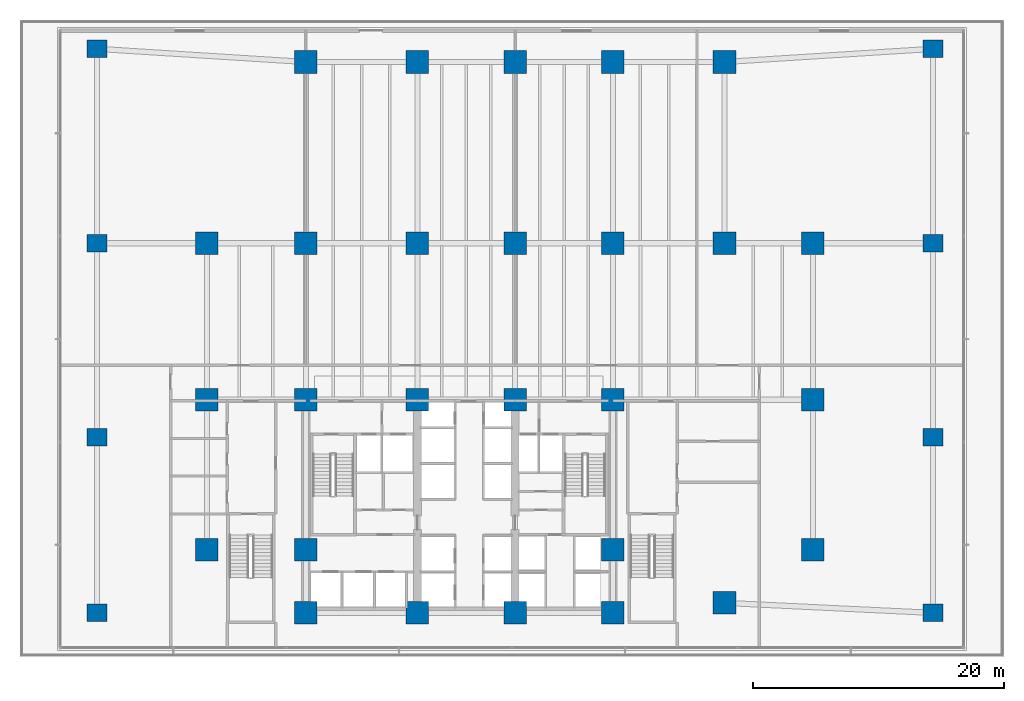
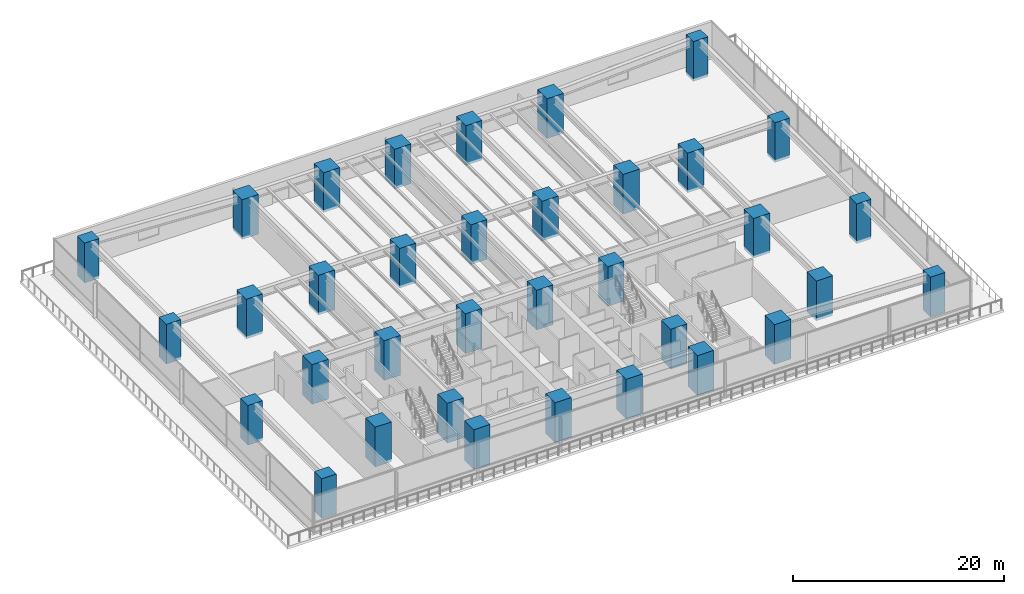
# One storey, part 1 of 28: 35 columns.
"""IFC4 building model written with IfcOpenShell, lengths in metres."""

from ifc_helpers import new_model, si_unit, direction, frame, origin, origin_2d, place, context, subcontext, project, spatial, rectangle, extrude, material, material_profile, profile_set, type_object, element, save


model = new_model("IFC4")

# Units and contexts
model_context = context("Model", 3, precision=1e-05, world=origin(), true_north=direction((0.0, 1.0)))
body_context = subcontext(model_context, "Body", "Model", "MODEL_VIEW")
ifc_project = project(units=[si_unit("LENGTHUNIT", "METRE"), si_unit("AREAUNIT", "SQUARE_METRE"), si_unit("VOLUMEUNIT", "CUBIC_METRE"), si_unit("PLANEANGLEUNIT", "RADIAN"), si_unit("MASSUNIT", "GRAM", prefix="KILO")], contexts=[model_context])

# Site, building, storey
site_placement = place(None, origin())
site = spatial("IfcSite", under=ifc_project, at=site_placement, CompositionType="ELEMENT")
building_placement = place(site_placement, origin())
building = spatial("IfcBuilding", under=site, at=building_placement, Name="Qalmaran Belvedere Hotel", CompositionType="ELEMENT")
storey_placement = place(building_placement, frame((0.0, 0.0, 10.0)))
storey = spatial("IfcBuildingStorey", under=building, at=storey_placement, Name="L02", CompositionType="ELEMENT", Elevation=10.0)

# Columns
ifc_material = material(Name="Concrete C60/75", Category="concrete")
ifc_material_profile_1 = material_profile(ifc_material, rectangle(XDim=1.60009765625, YDim=1.39990234375, at=origin_2d()), Name="MC1600X1400")
ifc_profile_set_1 = profile_set([ifc_material_profile_1], Name="Concrete C60/75")
column_type_1 = type_object("IfcColumnType", Name="COL-POD-MC1600", PredefinedType="COLUMN", material=ifc_profile_set_1)
for number, where, z_axis, x_axis, name in (
    (1, (3.64990234375, 3.5, -0.300048828125), (0.0, 0.0, 1.0), (1.0, 0.0, 0.0), "L02 Column PW2"),
    (2, (3.64990234375, 17.5, -0.300048828125), (0.0, 0.0, 1.0), (1.0, 0.0, 0.0), "L02 Column PW4"),
    (3, (3.64990234375, 33.0, -0.300048828125), (0.0, 0.0, 1.0), (1.0, 0.0, 0.0), "L02 Column PW6"),
    (4, (3.64990234375, 48.5, -0.300048828125), (0.0, 0.0, 1.0), (1.0, 0.0, 0.0), "L02 Column PW8"),
    (5, (70.35009765625, 3.5, -0.300048828125), (0.0, 0.0, 1.0), (1.0, 0.0, 0.0), "L02 Column PE1"),
    (6, (70.35009765625, 17.5, -0.300048828125), (0.0, 0.0, 1.0), (1.0, 0.0, 0.0), "L02 Column PE3"),
    (7, (70.35009765625, 33.0, -0.300048828125), (0.0, 0.0, 1.0), (1.0, 0.0, 0.0), "L02 Column PE5"),
    (8, (70.35009765625, 48.5, -0.300048828125), (0.0, 0.0, 1.0), (1.0, 0.0, 0.0), "L02 Column PE7"),
):
    element("IfcColumn", number, at=place(storey_placement, frame(where, z_axis=z_axis, x_axis=x_axis)), inside=storey, type_object=column_type_1, Name=name, PredefinedType="COLUMN", context=body_context, shape_type="SweptSolid", body=[
        extrude(rectangle(XDim=1.60009765625, YDim=1.39990234375, at=origin_2d()), origin(), (0.0, 0.0, 1.0), 4.60009765625),
    ])
ifc_material_profile_2 = material_profile(ifc_material, rectangle(XDim=1.800048828125, YDim=1.800048828125, at=origin_2d()), Name="MC1800X1800")
ifc_profile_set_2 = profile_set([ifc_material_profile_2], Name="Concrete C60/75")
column_type_2 = type_object("IfcColumnType", Name="COL-POD-MC1800", PredefinedType="COLUMN", material=ifc_profile_set_2)
for number, where, z_axis, x_axis, name in (
    (9, (20.300048828125, 3.5, -0.300048828125), (0.0, 0.0, 1.0), (1.0, 0.0, 0.0), "L02 Column C4B"),
    (10, (29.199951171875, 3.5, -0.300048828125), (0.0, 0.0, 1.0), (1.0, 0.0, 0.0), "L02 Column C5B"),
    (11, (37.0, 3.5, -0.300048828125), (0.0, 0.0, 1.0), (1.0, 0.0, 0.0), "L02 Column C6B"),
    (12, (44.800048828125, 3.5, -0.300048828125), (0.0, 0.0, 1.0), (1.0, 0.0, 0.0), "L02 Column C7B"),
    (13, (20.300048828125, 8.550048828125, -0.300048828125), (0.0, 0.0, 1.0), (1.0, 0.0, 0.0), "L02 Column C4C"),
    (14, (44.800048828125, 8.550048828125, -0.300048828125), (0.0, 0.0, 1.0), (1.0, 0.0, 0.0), "L02 Column C7C"),
    (15, (20.300048828125, 20.5, -0.300048828125), (0.0, 0.0, 1.0), (1.0, 0.0, 0.0), "L02 Column C4D"),
    (16, (29.199951171875, 20.5, -0.300048828125), (0.0, 0.0, 1.0), (1.0, 0.0, 0.0), "L02 Column C5D"),
    (17, (37.0, 20.5, -0.300048828125), (0.0, 0.0, 1.0), (1.0, 0.0, 0.0), "L02 Column C6D"),
    (18, (44.800048828125, 20.5, -0.300048828125), (0.0, 0.0, 1.0), (1.0, 0.0, 0.0), "L02 Column C7D"),
    (19, (20.300048828125, 33.0, -0.300048828125), (0.0, 0.0, 1.0), (1.0, 0.0, 0.0), "L02 Column C4F"),
    (20, (29.199951171875, 33.0, -0.300048828125), (0.0, 0.0, 1.0), (1.0, 0.0, 0.0), "L02 Column C5F"),
    (21, (37.0, 33.0, -0.300048828125), (0.0, 0.0, 1.0), (1.0, 0.0, 0.0), "L02 Column C6F"),
    (22, (44.800048828125, 33.0, -0.300048828125), (0.0, 0.0, 1.0), (1.0, 0.0, 0.0), "L02 Column C7F"),
    (23, (12.39990234375, 8.550048828125, -0.300048828125), (0.0, 0.0, 1.0), (1.0, 0.0, 0.0), "L02 Column CW1"),
    (24, (12.39990234375, 20.5, -0.300048828125), (0.0, 0.0, 1.0), (1.0, 0.0, 0.0), "L02 Column CW3"),
    (25, (12.39990234375, 33.0, -0.300048828125), (0.0, 0.0, 1.0), (1.0, 0.0, 0.0), "L02 Column CW4"),
    (26, (20.300048828125, 47.449951171875, -0.300048828125), (0.0, 0.0, 1.0), (1.0, 0.0, 0.0), "L02 Column CN1"),
    (27, (29.199951171875, 47.449951171875, -0.300048828125), (0.0, 0.0, 1.0), (1.0, 0.0, 0.0), "L02 Column CN2"),
    (28, (37.0, 47.449951171875, -0.300048828125), (0.0, 0.0, 1.0), (1.0, 0.0, 0.0), "L02 Column CN3"),
    (29, (44.800048828125, 47.449951171875, -0.300048828125), (0.0, 0.0, 1.0), (1.0, 0.0, 0.0), "L02 Column CN4"),
    (30, (53.699951171875, 47.449951171875, -0.300048828125), (0.0, 0.0, 1.0), (1.0, 0.0, 0.0), "L02 Column CN5"),
    (31, (60.75, 8.550048828125, -0.300048828125), (0.0, 0.0, 1.0), (1.0, 0.0, 0.0), "L02 Column CE1"),
    (32, (60.75, 20.5, -0.300048828125), (0.0, 0.0, 1.0), (1.0, 0.0, 0.0), "L02 Column CE3"),
    (33, (60.75, 33.0, -0.300048828125), (0.0, 0.0, 1.0), (1.0, 0.0, 0.0), "L02 Column CE4"),
    (34, (53.699951171875, 4.300048828125, -0.300048828125), (0.0, 0.0, 1.0), (1.0, 0.0, 0.0), "L02 Column CSE1"),
    (35, (53.699951171875, 33.0, -0.300048828125), (0.0, 0.0, 1.0), (1.0, 0.0, 0.0), "L02 Column CSN5"),
):
    element("IfcColumn", number, at=place(storey_placement, frame(where, z_axis=z_axis, x_axis=x_axis)), inside=storey, type_object=column_type_2, Name=name, PredefinedType="COLUMN", context=body_context, shape_type="SweptSolid", body=[
        extrude(rectangle(XDim=1.800048828125, YDim=1.800048828125, at=origin_2d()), origin(), (0.0, 0.0, 1.0), 4.60009765625),
    ])

save(model, "model.ifc")
